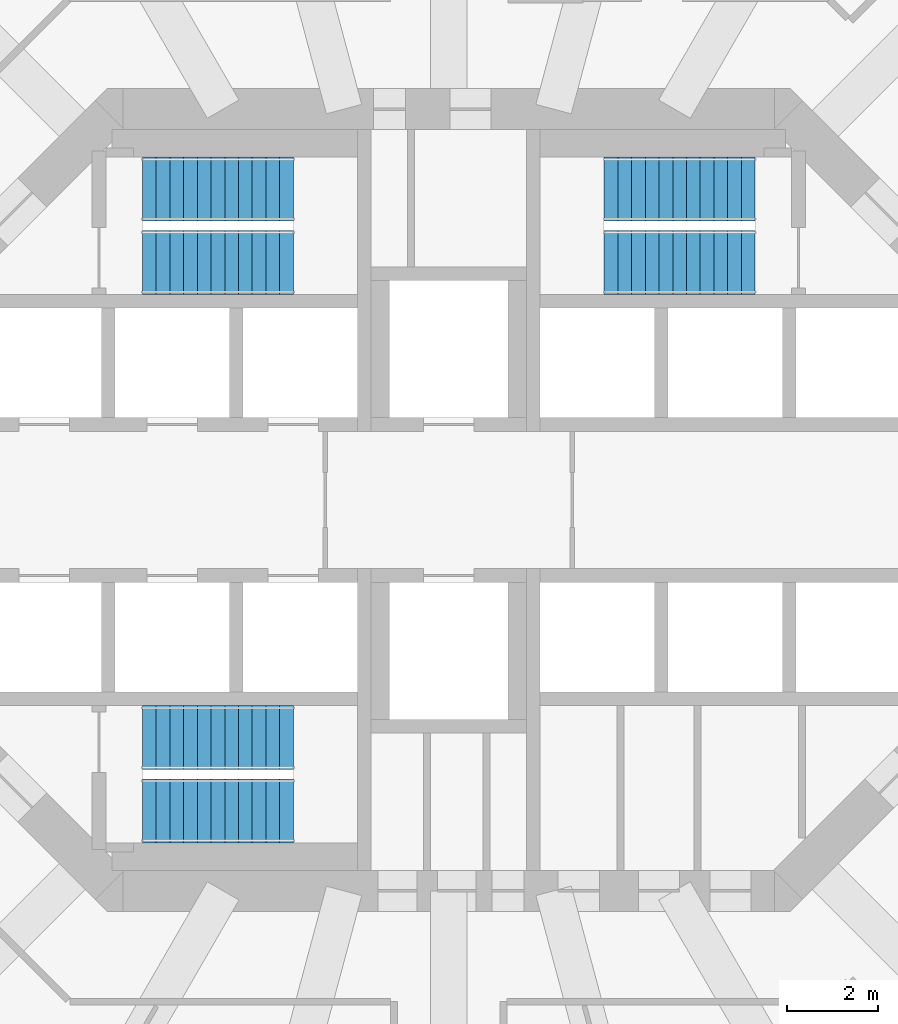
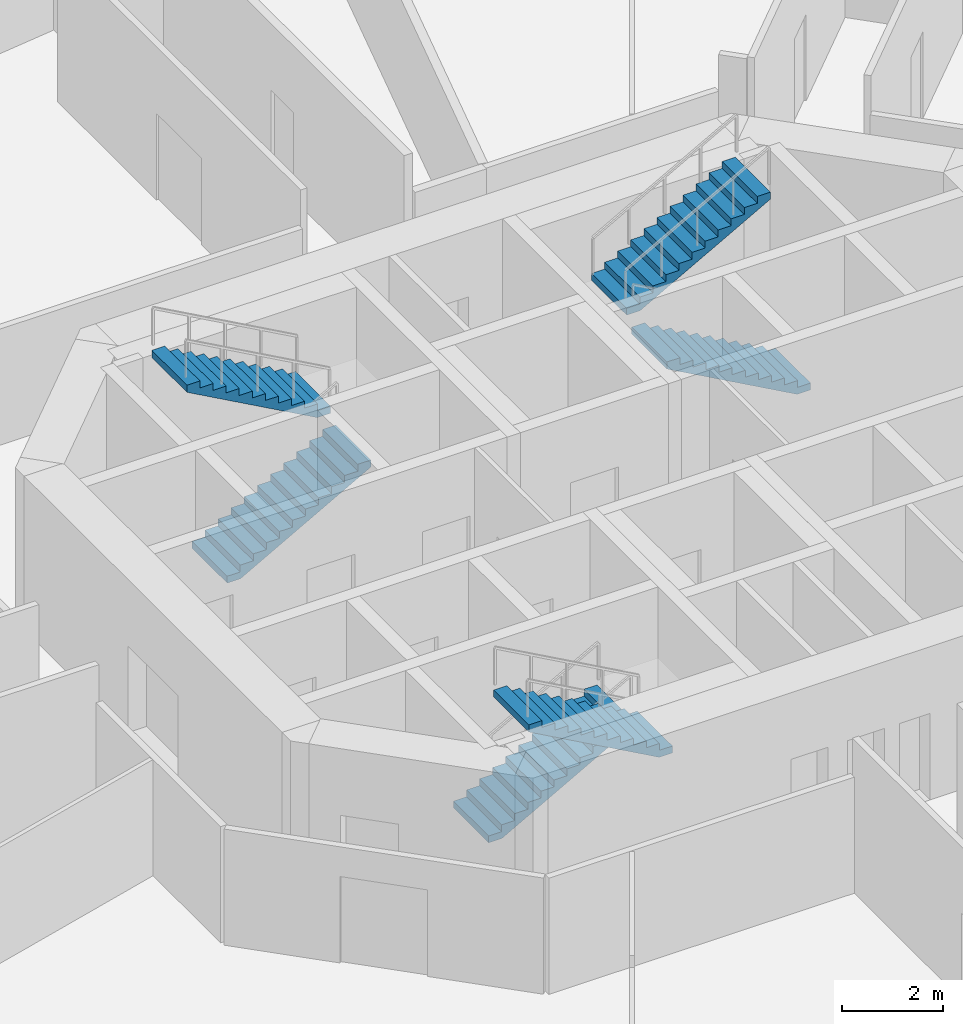
# One storey, part 7 of 9: 6 stair flights, 3 elements without a shape of their own.
"""IFC4 building model written with IfcOpenShell, lengths in metres."""

import ifcopenshell
import ifcopenshell.guid

model = None  # the IFC model being written
_history = None  # IfcOwnerHistory: only IFC2X3 demands one
_inside = {}  # id of a spatial element -> (the spatial element, [elements in it])
_under = {}  # id of a project, library or spatial element -> (it, [spatial elements below it])
_declared = {}  # id of a project -> (the project, [libraries it declares])
_typed = {}  # id of a type object -> (the type object, [elements of that type])
_made_of = {}  # id of a material, layer set ... -> (it, [elements and type objects made of it])


def new_model(schema):
    """Start an empty IFC model of exactly this schema.

    Asked for "IFC4X3", IfcOpenShell would pick the latest addendum, in which some entities
    have other attributes; the version numbers below select the first issue.
    IFC2X3 requires an IfcOwnerHistory on every rooted entity: one is made here for all.
    """
    global model, _history
    if schema == "IFC4X3":
        model = ifcopenshell.file(schema_version=(4, 3, 0, 0))
    else:
        model = ifcopenshell.file(schema=schema)
    _inside.clear()
    _under.clear()
    _declared.clear()
    _typed.clear()
    _made_of.clear()
    _history = None
    if model.schema == "IFC2X3":
        org = make("IfcOrganization", Name="unknown")
        user = make(
            "IfcPersonAndOrganization",
            ThePerson=make("IfcPerson", FamilyName="unknown"),
            TheOrganization=org,
        )
        app = make(
            "IfcApplication",
            ApplicationDeveloper=org,
            Version="unknown",
            ApplicationFullName="unknown",
            ApplicationIdentifier="unknown",
        )
        _history = make(
            "IfcOwnerHistory",
            OwningUser=user,
            OwningApplication=app,
            ChangeAction="ADDED",
            CreationDate=0,
        )
    return model


def make(cls, **values):
    """One entity of the class cls with the attributes given. An attribute that is None is left unset."""
    return model.create_entity(
        cls, **{name: value for name, value in values.items() if value is not None}
    )


def rooted(cls, **values):
    """An entity with a GlobalId (a new one), such as an element, a storey or a relation."""
    return make(cls, GlobalId=ifcopenshell.guid.new(), OwnerHistory=_history, **values)


def si_unit(unit_type, name, prefix=None):
    """IfcSIUnit, for example si_unit("LENGTHUNIT", "METRE", prefix="MILLI")."""
    return make("IfcSIUnit", UnitType=unit_type, Prefix=prefix, Name=name)


def assignment(units):
    """IfcUnitAssignment: the units of a project."""
    return None if units is None else make("IfcUnitAssignment", Units=units)


def point(xyz):
    """IfcCartesianPoint."""
    return None if xyz is None else make("IfcCartesianPoint", Coordinates=xyz)


def direction(xyz):
    """IfcDirection."""
    return None if xyz is None else make("IfcDirection", DirectionRatios=xyz)


def frame(location, z_axis=None, x_axis=None):
    """IfcAxis2Placement3D, a coordinate frame: its origin and axes. An axis left out is left unset."""
    return make(
        "IfcAxis2Placement3D",
        Location=point(location),
        Axis=direction(z_axis),
        RefDirection=direction(x_axis),
    )


def origin():
    """The frame at (0, 0, 0) with its axes left unset."""
    return frame((0.0, 0.0, 0.0))


def place(relative_to, where):
    """IfcLocalPlacement: puts the frame where relative to a parent placement (None: the world)."""
    return make(
        "IfcLocalPlacement", PlacementRelTo=relative_to, RelativePlacement=where
    )


def context(
    kind, dimensions, precision=None, world=None, true_north=None, identifier=None
):
    """IfcGeometricRepresentationContext, for example the 3D "Model" context."""
    return make(
        "IfcGeometricRepresentationContext",
        ContextIdentifier=identifier,
        ContextType=kind,
        CoordinateSpaceDimension=dimensions,
        Precision=precision,
        WorldCoordinateSystem=world,
        TrueNorth=true_north,
    )


def subcontext(parent, identifier, kind, view, scale=None):
    """IfcGeometricRepresentationSubContext, for example "Body" below "Model"."""
    return make(
        "IfcGeometricRepresentationSubContext",
        ContextIdentifier=identifier,
        ContextType=kind,
        ParentContext=parent,
        TargetScale=scale,
        TargetView=view,
    )


def project(units=None, contexts=None):
    """IfcProject with its units and contexts."""
    return rooted(
        "IfcProject",
        Name="project",
        RepresentationContexts=contexts,
        UnitsInContext=assignment(units),
    )


def spatial(cls, under=None, at=None, **own):
    """A site, building, storey or space (cls), placed at a placement, below another one or the project."""
    s = rooted(cls, ObjectPlacement=at, **own)
    if under is not None:
        _under.setdefault(under.id(), (under, []))[1].append(s)
    return s


def polyline(points):
    """IfcPolyline through the points."""
    return make("IfcPolyline", Points=[point(p) for p in points])


def outline(outer, holes=None, kind="AREA"):
    """IfcArbitraryClosedProfileDef: a profile drawn as a closed curve; with holes, ...WithVoids."""
    if holes is None:
        return make("IfcArbitraryClosedProfileDef", ProfileType=kind, OuterCurve=outer)
    return make(
        "IfcArbitraryProfileDefWithVoids",
        ProfileType=kind,
        OuterCurve=outer,
        InnerCurves=holes,
    )


def extrude(swept, where, along, depth):
    """IfcExtrudedAreaSolid: the profile swept, set in the frame where, extruded along a direction by depth."""
    return make(
        "IfcExtrudedAreaSolid",
        SweptArea=swept,
        Position=where,
        ExtrudedDirection=direction(along),
        Depth=depth,
    )


def shape(context_of_items, identifier, shape_type, items):
    """IfcShapeRepresentation: the items that make up one representation, for example the "Body"."""
    return make(
        "IfcShapeRepresentation",
        ContextOfItems=context_of_items,
        RepresentationIdentifier=identifier,
        RepresentationType=shape_type,
        Items=items,
    )


def material(Name=None, Category=None):
    """IfcMaterial."""
    return make("IfcMaterial", Name=Name, Category=Category)


def made_of(thing, what):
    """Note that an element or type object is made of a material, layer set ...; save() writes the relation."""
    if what is not None:
        _made_of.setdefault(what.id(), (what, []))[1].append(thing)
    return thing


def type_object(cls, material=None, **own):
    """A type object (cls), such as IfcWallType, which elements share."""
    return made_of(rooted(cls, **own), material)


def element(
    cls,
    number,
    at=None,
    inside=None,
    cuts=None,
    type_object=None,
    material=None,
    context=None,
    identifier="Body",
    shape_type=None,
    held_by="IfcProductDefinitionShape",
    body=None,
    shapes=None,
    **own,
):
    """One element of the class cls, such as IfcWall. Its Tag is "e" and its number.

    at: its placement. inside: the storey or other place that contains it. cuts: it is an
    opening in that element (IfcRelVoidsElement). A single representation is given by context,
    identifier, shape_type and body (its items); several are given by shapes. held_by: the class
    of the entity that holds the representations. save() writes the other relations.
    """
    e = rooted(cls, Tag="e%d" % number, ObjectPlacement=at, **own)
    if body is not None:
        shapes = [shape(context, identifier, shape_type, body)]
    if shapes is not None:
        e.Representation = make(held_by, Representations=shapes)
    if inside is not None:
        _inside.setdefault(inside.id(), (inside, []))[1].append(e)
    if cuts is not None:
        rooted(
            "IfcRelVoidsElement", RelatingBuildingElement=cuts, RelatedOpeningElement=e
        )
    if type_object is not None:
        _typed.setdefault(type_object.id(), (type_object, []))[1].append(e)
    return made_of(e, material)


def aggregate(whole, parts):
    """IfcRelAggregates: a whole, such as a stair, and the parts it consists of."""
    return rooted("IfcRelAggregates", RelatingObject=whole, RelatedObjects=parts)


def save(model, path):
    """Write the relations noted so far, then the file.

    IfcRelAggregates (storeys below a building ...), IfcRelContainedInSpatialStructure (elements
    in a storey), IfcRelDefinesByType, IfcRelAssociatesMaterial and IfcRelDeclares: one each for
    every whole, place, type object, material and project.
    """
    for whole, parts in _under.values():
        aggregate(whole, parts)
    for where, things in _inside.values():
        rooted(
            "IfcRelContainedInSpatialStructure",
            RelatedElements=things,
            RelatingStructure=where,
        )
    for kind, things in _typed.values():
        rooted("IfcRelDefinesByType", RelatedObjects=things, RelatingType=kind)
    for what, things in _made_of.values():
        rooted("IfcRelAssociatesMaterial", RelatedObjects=things, RelatingMaterial=what)
    for by, libraries in _declared.values():
        rooted("IfcRelDeclares", RelatingContext=by, RelatedDefinitions=libraries)
    model.write(path)


model = new_model("IFC4")

# Units and contexts
model_context = context("Model", 3, precision=1e-05, world=origin(), true_north=direction((0.0, 1.0)))
body_context = subcontext(model_context, "Body", "Model", "MODEL_VIEW")
ifc_project = project(units=[si_unit("LENGTHUNIT", "METRE"), si_unit("AREAUNIT", "SQUARE_METRE"), si_unit("VOLUMEUNIT", "CUBIC_METRE"), si_unit("PLANEANGLEUNIT", "RADIAN"), si_unit("MASSUNIT", "GRAM", prefix="KILO")], contexts=[model_context])

# Site, building, storey
site_placement = place(None, origin())
site = spatial("IfcSite", under=ifc_project, at=site_placement, CompositionType="ELEMENT")
building_placement = place(site_placement, origin())
building = spatial("IfcBuilding", under=site, at=building_placement, Name="Torre Triforio", CompositionType="ELEMENT")
storey_placement = place(building_placement, frame((0.0, 0.0, 55.0)))
storey = spatial("IfcBuildingStorey", under=building, at=storey_placement, Name="L11", CompositionType="ELEMENT", Elevation=55.0)

# Stair, stair flights
ifc_material = material(Name="Concrete C40", Category="concrete")
stair_type = type_object("IfcStairType", Name="STAIR HALF-TURN", PredefinedType="HALF_TURN_STAIR", material=ifc_material)
stair_1_placement = place(storey_placement, origin())
stair_1 = element("IfcStair", 1, at=stair_1_placement, inside=storey, type_object=stair_type, Name="Exit stair 1", PredefinedType="HALF_TURN_STAIR")
stair_flight_type = type_object("IfcStairFlightType", Name="STAIR FLIGHT 1400", PredefinedType="STRAIGHT", material=ifc_material)
stair_flight_1_placement = place(storey_placement, frame((-6.699951171875, 5.199951171875, 0.0), z_axis=(0.0, 0.0, 1.0), x_axis=(1.0, 0.0, 0.0)))
stair_flight_1 = element("IfcStairFlight", 2, at=stair_flight_1_placement, type_object=stair_flight_type, Name="ST1 flight 1", NumberOfRisers=12, NumberOfTreads=11, PredefinedType="STRAIGHT", RiserHeight=0.166666667, TreadLength=0.3, context=body_context, shape_type="SweptSolid", body=[
    extrude(outline(polyline([(0.0, 0.0), (0.0, 0.166748046875), (0.300048828125, 0.166748046875), (0.300048828125, 0.333251953125), (0.60009765625, 0.333251953125), (0.60009765625, 0.5), (0.89990234375, 0.5), (0.89990234375, 0.666748046875), (1.199951171875, 0.666748046875), (1.199951171875, 0.833251953125), (1.5, 0.833251953125), (1.5, 1.0), (1.800048828125, 1.0), (1.800048828125, 1.166748046875), (2.10009765625, 1.166748046875), (2.10009765625, 1.333251953125), (2.39990234375, 1.333251953125), (2.39990234375, 1.5), (2.699951171875, 1.5), (2.699951171875, 1.666748046875), (3.0, 1.666748046875), (3.0, 1.833251953125), (3.300048828125, 1.833251953125), (3.300048828125, 2.0), (3.300048828125, 1.661865234375), (0.30859375, 0.0), (0.0, 0.0)])), frame((0.0, 0.699951171875, 0.0), z_axis=(0.0, -1.0, 0.0), x_axis=(1.0, 0.0, 0.0)), (0.0, 0.0, 1.0), 1.39990234375),
])
stair_flight_2_placement = place(storey_placement, frame((-3.39990234375, 6.800048828125, 2.0), z_axis=(0.0, 0.0, 1.0), x_axis=(-1.0, 0.0, 0.0)))
stair_flight_2 = element("IfcStairFlight", 3, at=stair_flight_2_placement, type_object=stair_flight_type, Name="ST1 flight 2", NumberOfRisers=12, NumberOfTreads=11, PredefinedType="STRAIGHT", RiserHeight=0.166666667, TreadLength=0.3, context=body_context, shape_type="SweptSolid", body=[
    extrude(outline(polyline([(0.0, 0.0), (0.0, 0.166748046875), (0.300048828125, 0.166748046875), (0.300048828125, 0.333251953125), (0.60009765625, 0.333251953125), (0.60009765625, 0.5), (0.89990234375, 0.5), (0.89990234375, 0.666748046875), (1.199951171875, 0.666748046875), (1.199951171875, 0.833251953125), (1.5, 0.833251953125), (1.5, 1.0), (1.800048828125, 1.0), (1.800048828125, 1.166748046875), (2.10009765625, 1.166748046875), (2.10009765625, 1.333251953125), (2.39990234375, 1.333251953125), (2.39990234375, 1.5), (2.699951171875, 1.5), (2.699951171875, 1.666748046875), (3.0, 1.666748046875), (3.0, 1.833251953125), (3.300048828125, 1.833251953125), (3.300048828125, 2.0), (3.300048828125, 1.661865234375), (0.30859375, 0.0), (0.0, 0.0)])), frame((0.0, 0.699951171875, 0.0), z_axis=(0.0, -1.0, 0.0), x_axis=(1.0, 0.0, 0.0)), (0.0, 0.0, 1.0), 1.39990234375),
])
aggregate(stair_1, [stair_flight_1, stair_flight_2])

stair_2_placement = place(storey_placement, origin())
stair_2 = element("IfcStair", 4, at=stair_2_placement, inside=storey, type_object=stair_type, Name="Exit stair 2", PredefinedType="HALF_TURN_STAIR")
stair_flight_3_placement = place(storey_placement, frame((6.699951171875, 5.199951171875, 0.0), z_axis=(0.0, 0.0, 1.0), x_axis=(-1.0, 0.0, 0.0)))
stair_flight_3 = element("IfcStairFlight", 5, at=stair_flight_3_placement, type_object=stair_flight_type, Name="ST2 flight 1", NumberOfRisers=12, NumberOfTreads=11, PredefinedType="STRAIGHT", RiserHeight=0.166666667, TreadLength=0.3, context=body_context, shape_type="SweptSolid", body=[
    extrude(outline(polyline([(0.0, 0.0), (0.0, 0.166748046875), (0.300048828125, 0.166748046875), (0.300048828125, 0.333251953125), (0.60009765625, 0.333251953125), (0.60009765625, 0.5), (0.89990234375, 0.5), (0.89990234375, 0.666748046875), (1.199951171875, 0.666748046875), (1.199951171875, 0.833251953125), (1.5, 0.833251953125), (1.5, 1.0), (1.800048828125, 1.0), (1.800048828125, 1.166748046875), (2.10009765625, 1.166748046875), (2.10009765625, 1.333251953125), (2.39990234375, 1.333251953125), (2.39990234375, 1.5), (2.699951171875, 1.5), (2.699951171875, 1.666748046875), (3.0, 1.666748046875), (3.0, 1.833251953125), (3.300048828125, 1.833251953125), (3.300048828125, 2.0), (3.300048828125, 1.661865234375), (0.30859375, 0.0), (0.0, 0.0)])), frame((0.0, 0.699951171875, 0.0), z_axis=(0.0, -1.0, 0.0), x_axis=(1.0, 0.0, 0.0)), (0.0, 0.0, 1.0), 1.39990234375),
])
stair_flight_4_placement = place(storey_placement, frame((3.39990234375, 6.800048828125, 2.0), z_axis=(0.0, 0.0, 1.0), x_axis=(1.0, 0.0, 0.0)))
stair_flight_4 = element("IfcStairFlight", 6, at=stair_flight_4_placement, type_object=stair_flight_type, Name="ST2 flight 2", NumberOfRisers=12, NumberOfTreads=11, PredefinedType="STRAIGHT", RiserHeight=0.166666667, TreadLength=0.3, context=body_context, shape_type="SweptSolid", body=[
    extrude(outline(polyline([(0.0, 0.0), (0.0, 0.166748046875), (0.300048828125, 0.166748046875), (0.300048828125, 0.333251953125), (0.60009765625, 0.333251953125), (0.60009765625, 0.5), (0.89990234375, 0.5), (0.89990234375, 0.666748046875), (1.199951171875, 0.666748046875), (1.199951171875, 0.833251953125), (1.5, 0.833251953125), (1.5, 1.0), (1.800048828125, 1.0), (1.800048828125, 1.166748046875), (2.10009765625, 1.166748046875), (2.10009765625, 1.333251953125), (2.39990234375, 1.333251953125), (2.39990234375, 1.5), (2.699951171875, 1.5), (2.699951171875, 1.666748046875), (3.0, 1.666748046875), (3.0, 1.833251953125), (3.300048828125, 1.833251953125), (3.300048828125, 2.0), (3.300048828125, 1.661865234375), (0.30859375, 0.0), (0.0, 0.0)])), frame((0.0, 0.699951171875, 0.0), z_axis=(0.0, -1.0, 0.0), x_axis=(1.0, 0.0, 0.0)), (0.0, 0.0, 1.0), 1.39990234375),
])
aggregate(stair_2, [stair_flight_3, stair_flight_4])

stair_3_placement = place(storey_placement, origin())
stair_3 = element("IfcStair", 7, at=stair_3_placement, inside=storey, type_object=stair_type, Name="Exit stair 3", PredefinedType="HALF_TURN_STAIR")
stair_flight_5_placement = place(storey_placement, frame((-6.699951171875, -5.199951171875, 0.0), z_axis=(0.0, 0.0, 1.0), x_axis=(1.0, 0.0, 0.0)))
stair_flight_5 = element("IfcStairFlight", 8, at=stair_flight_5_placement, type_object=stair_flight_type, Name="ST3 flight 1", NumberOfRisers=12, NumberOfTreads=11, PredefinedType="STRAIGHT", RiserHeight=0.166666667, TreadLength=0.3, context=body_context, shape_type="SweptSolid", body=[
    extrude(outline(polyline([(0.0, 0.0), (0.0, 0.166748046875), (0.300048828125, 0.166748046875), (0.300048828125, 0.333251953125), (0.60009765625, 0.333251953125), (0.60009765625, 0.5), (0.89990234375, 0.5), (0.89990234375, 0.666748046875), (1.199951171875, 0.666748046875), (1.199951171875, 0.833251953125), (1.5, 0.833251953125), (1.5, 1.0), (1.800048828125, 1.0), (1.800048828125, 1.166748046875), (2.10009765625, 1.166748046875), (2.10009765625, 1.333251953125), (2.39990234375, 1.333251953125), (2.39990234375, 1.5), (2.699951171875, 1.5), (2.699951171875, 1.666748046875), (3.0, 1.666748046875), (3.0, 1.833251953125), (3.300048828125, 1.833251953125), (3.300048828125, 2.0), (3.300048828125, 1.661865234375), (0.30859375, 0.0), (0.0, 0.0)])), frame((0.0, 0.699951171875, 0.0), z_axis=(0.0, -1.0, 0.0), x_axis=(1.0, 0.0, 0.0)), (0.0, 0.0, 1.0), 1.39990234375),
])
stair_flight_6_placement = place(storey_placement, frame((-3.39990234375, -6.800048828125, 2.0), z_axis=(0.0, 0.0, 1.0), x_axis=(-1.0, 0.0, 0.0)))
stair_flight_6 = element("IfcStairFlight", 9, at=stair_flight_6_placement, type_object=stair_flight_type, Name="ST3 flight 2", NumberOfRisers=12, NumberOfTreads=11, PredefinedType="STRAIGHT", RiserHeight=0.166666667, TreadLength=0.3, context=body_context, shape_type="SweptSolid", body=[
    extrude(outline(polyline([(0.0, 0.0), (0.0, 0.166748046875), (0.300048828125, 0.166748046875), (0.300048828125, 0.333251953125), (0.60009765625, 0.333251953125), (0.60009765625, 0.5), (0.89990234375, 0.5), (0.89990234375, 0.666748046875), (1.199951171875, 0.666748046875), (1.199951171875, 0.833251953125), (1.5, 0.833251953125), (1.5, 1.0), (1.800048828125, 1.0), (1.800048828125, 1.166748046875), (2.10009765625, 1.166748046875), (2.10009765625, 1.333251953125), (2.39990234375, 1.333251953125), (2.39990234375, 1.5), (2.699951171875, 1.5), (2.699951171875, 1.666748046875), (3.0, 1.666748046875), (3.0, 1.833251953125), (3.300048828125, 1.833251953125), (3.300048828125, 2.0), (3.300048828125, 1.661865234375), (0.30859375, 0.0), (0.0, 0.0)])), frame((0.0, 0.699951171875, 0.0), z_axis=(0.0, -1.0, 0.0), x_axis=(1.0, 0.0, 0.0)), (0.0, 0.0, 1.0), 1.39990234375),
])
aggregate(stair_3, [stair_flight_5, stair_flight_6])

save(model, "model.ifc")
